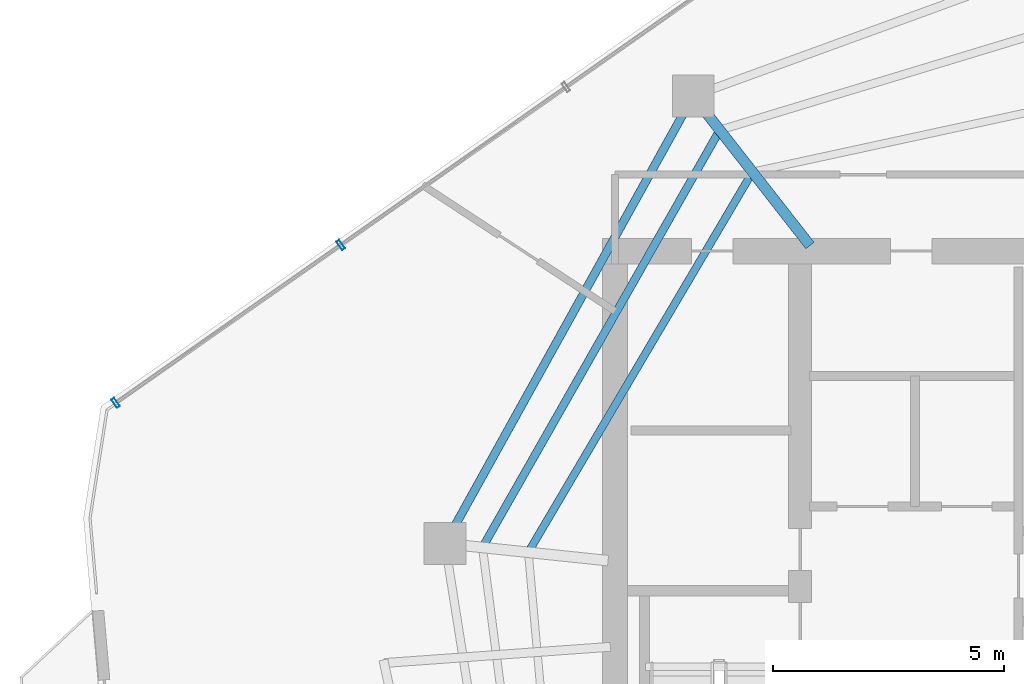
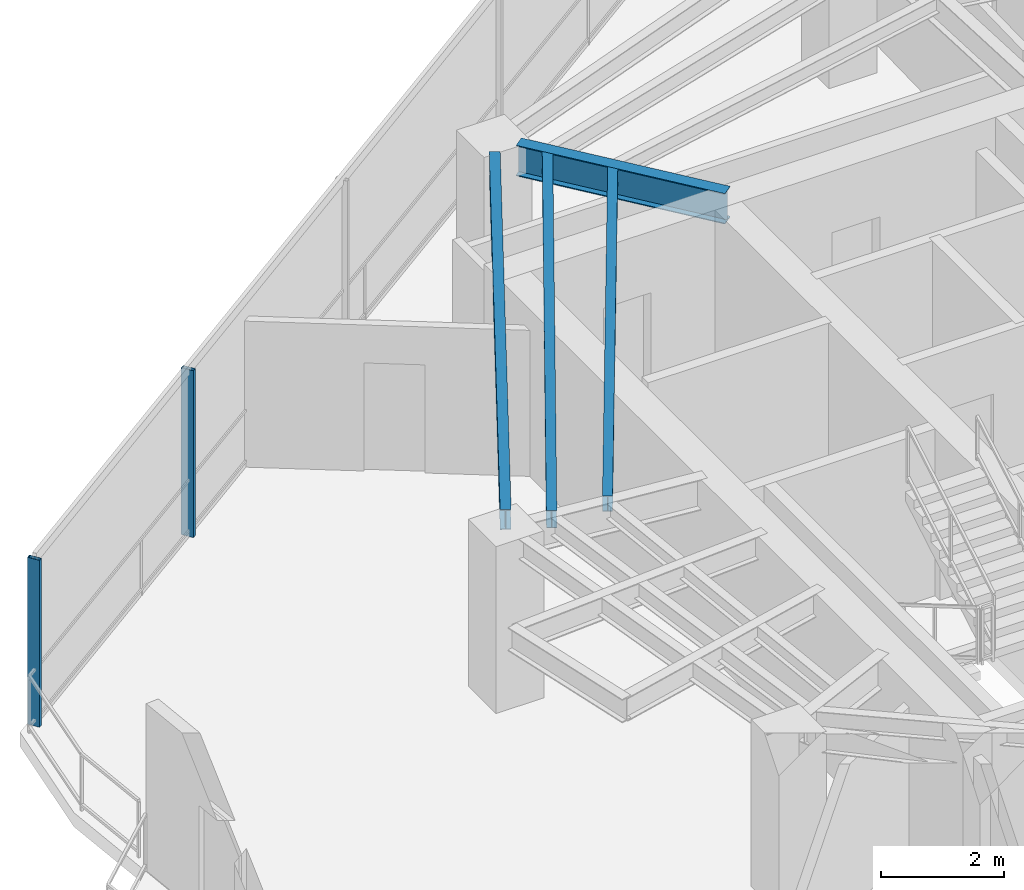
# One storey, part 7 of 20: 4 beams, 2 members, 1 element without a shape of its own.
"""IFC4 building model written with IfcOpenShell, lengths in metres."""

from ifc_helpers import new_model, si_unit, direction, frame, origin, origin_2d, place, context, subcontext, project, spatial, hollow_rectangle, i_section, extrude, material, layer, layer_set, material_profile, profile_set, type_object, element, aggregate, save


model = new_model("IFC4")

# Units and contexts
model_context = context("Model", 3, precision=1e-05, world=origin(), true_north=direction((0.0, 1.0)))
body_context = subcontext(model_context, "Body", "Model", "MODEL_VIEW")
ifc_project = project(units=[si_unit("LENGTHUNIT", "METRE"), si_unit("AREAUNIT", "SQUARE_METRE"), si_unit("VOLUMEUNIT", "CUBIC_METRE"), si_unit("PLANEANGLEUNIT", "RADIAN"), si_unit("MASSUNIT", "GRAM", prefix="KILO")], contexts=[model_context])

# Site, building, storey
site_placement = place(None, origin())
site = spatial("IfcSite", under=ifc_project, at=site_placement, CompositionType="ELEMENT")
building_placement = place(site_placement, origin())
building = spatial("IfcBuilding", under=site, at=building_placement, Name="Qarnah Convention Tower", CompositionType="ELEMENT")
storey_placement = place(building_placement, frame((0.0, 0.0, 198.60009765625)))
storey = spatial("IfcBuildingStorey", under=building, at=storey_placement, Name="L53", CompositionType="ELEMENT", Elevation=198.60009765625)

# Beams
ifc_material_1 = material(Name="Structural steel S355JR", Category="steel")
ifc_material_profile_1 = material_profile(ifc_material_1, i_section(OverallWidth=0.166015625, OverallDepth=0.31201171875, WebThickness=0.007080078125, FlangeThickness=0.010986328125, at=origin_2d()), Name="W310X45")
ifc_profile_set_1 = profile_set([ifc_material_profile_1], Name="Structural steel S355JR")
beam_type_1 = type_object("IfcBeamType", Name="BM-JST-W310", PredefinedType="JOIST", material=ifc_profile_set_1)
beam_1_placement = place(storey_placement, frame((29.72509765625, 35.830078125, 3.163818359375), z_axis=(-0.507800878702, -0.861474472976, 0.0), x_axis=(0.861474472976, -0.507800878702, 0.0)))
element("IfcBeam", 1, at=beam_1_placement, inside=storey, type_object=beam_type_1, Name="L53 joist BM-L53-IJST-04", PredefinedType="JOIST", context=body_context, shape_type="SweptSolid", body=[
    extrude(i_section(OverallWidth=0.166015625, OverallDepth=0.31201171875, WebThickness=0.007080078125, FlangeThickness=0.010986328125, at=origin_2d()), origin(), (0.0, 0.0, 1.0), 9.3583984375),
])
ifc_material_profile_2 = material_profile(ifc_material_1, i_section(OverallWidth=0.172119140625, OverallDepth=0.35595703125, WebThickness=0.007080078125, FlangeThickness=0.011962890625, at=origin_2d()), Name="W360X51")
ifc_profile_set_2 = profile_set([ifc_material_profile_2], Name="Structural steel S355JR")
beam_type_2 = type_object("IfcBeamType", Name="BM-JST-W360", PredefinedType="JOIST", material=ifc_profile_set_2)
beam_2_placement = place(storey_placement, frame((29.02001953125, 36.735107421875, 3.141845703125), z_axis=(-0.494322447591, -0.869278619206, 0.0), x_axis=(0.869278619206, -0.494322447591, 0.0)))
element("IfcBeam", 2, at=beam_2_placement, inside=storey, type_object=beam_type_2, Name="L53 joist BM-L53-SJST-04", PredefinedType="JOIST", context=body_context, shape_type="SweptSolid", body=[
    extrude(i_section(OverallWidth=0.172119140625, OverallDepth=0.35595703125, WebThickness=0.007080078125, FlangeThickness=0.011962890625, at=origin_2d()), origin(), (0.0, 0.0, 1.0), 10.19580078125),
])
ifc_material_profile_3 = material_profile(ifc_material_1, i_section(OverallWidth=0.22802734375, OverallDepth=0.60791015625, WebThickness=0.010986328125, FlangeThickness=0.01708984375, at=origin_2d()), Name="W610X113")
ifc_profile_set_3 = profile_set([ifc_material_profile_3], Name="Structural steel S355JR")
beam_type_3 = type_object("IfcBeamType", Name="BM-RAD-W610B", PredefinedType="BEAM", material=ifc_profile_set_3)
beam_3_placement = place(storey_placement, frame((31.013916015625, 34.318115234375, 3.015869140625), z_axis=(-0.615807906571, 0.787896327066, 0.0), x_axis=(-0.787896327066, -0.615807906571, 0.0)))
element("IfcBeam", 3, at=beam_3_placement, inside=storey, type_object=beam_type_3, Name="L53 beam BM-L53-RAD-04", PredefinedType="BEAM", context=body_context, shape_type="SweptSolid", body=[
    extrude(i_section(OverallWidth=0.22802734375, OverallDepth=0.60791015625, WebThickness=0.010986328125, FlangeThickness=0.01708984375, at=origin_2d()), origin(), (0.0, 0.0, 1.0), 3.671630859375),
])
ifc_material_profile_4 = material_profile(ifc_material_1, i_section(OverallWidth=0.179931640625, OverallDepth=0.39990234375, WebThickness=0.009033203125, FlangeThickness=0.013916015625, at=origin_2d()), Name="IPE400")
ifc_profile_set_4 = profile_set([ifc_material_profile_4], Name="Structural steel S355JR")
beam_type_4 = type_object("IfcBeamType", Name="BM-SPN-IPE400", PredefinedType="SPANDREL", material=ifc_profile_set_4)
beam_4_placement = place(storey_placement, frame((28.27490234375, 37.1650390625, 3.119873046875), z_axis=(-0.48479945923, -0.874625339406, 0.0), x_axis=(0.874625339406, -0.48479945923, 0.0)))
element("IfcBeam", 4, at=beam_4_placement, inside=storey, type_object=beam_type_4, Name="L53 spandrel BM-L53-SPN-04", PredefinedType="SPANDREL", context=body_context, shape_type="SweptSolid", body=[
    extrude(i_section(OverallWidth=0.179931640625, OverallDepth=0.39990234375, WebThickness=0.009033203125, FlangeThickness=0.013916015625, at=origin_2d()), origin(), (0.0, 0.0, 1.0), 10.177001953125),
])

# Curtain wall, members
ifc_material_2 = material(Name="Tempered Low-E dark glass", Category="glass")
ifc_layer = layer(ifc_material_2, 0.174072265625)
ifc_layer_set = layer_set([ifc_layer], Name="Tempered Low-E dark glass")
curtain_wall_type = type_object("IfcCurtainWallType", Name="CWS-04", PredefinedType="NOTDEFINED", material=ifc_layer_set)
curtain_wall_placement = place(storey_placement, origin())
curtain_wall = element("IfcCurtainWall", 5, at=curtain_wall_placement, inside=storey, type_object=curtain_wall_type, Name="L53 unitised curtain wall CW-L53-F1", PredefinedType="NOTDEFINED")
ifc_material_3 = material(Name="Black anodised aluminium", Category="aluminium")
ifc_material_profile_5 = material_profile(ifc_material_3, hollow_rectangle(XDim=0.074951171875, YDim=0.219970703125, WallThickness=0.0048828125, at=origin_2d()), Name="MUL-75X220")
ifc_profile_set_5 = profile_set([ifc_material_profile_5], Name="Black anodised aluminium")
member_type = type_object("IfcMemberType", Name="MUL-T4", PredefinedType="MULLION", material=ifc_profile_set_5)
member_1_placement = place(storey_placement, frame((16.010009765625, 30.919921875, 0.0), z_axis=(0.0, 0.0, 1.0), x_axis=(0.818736601827, 0.57416929283, 0.0)))
member_1 = element("IfcMember", 6, at=member_1_placement, type_object=member_type, Name="CW-L53-F1 mullion 1", PredefinedType="MULLION", context=body_context, shape_type="SweptSolid", body=[
    extrude(hollow_rectangle(XDim=0.074951171875, YDim=0.219970703125, WallThickness=0.0048828125, at=origin_2d()), origin(), (0.0, 0.0, 1.0), 3.31982421875),
])
member_2_placement = place(storey_placement, frame((20.874267578125, 34.331298828125, 0.0), z_axis=(0.0, 0.0, 1.0), x_axis=(0.818736601827, 0.57416929283, 0.0)))
member_2 = element("IfcMember", 7, at=member_2_placement, type_object=member_type, Name="CW-L53-F1 mullion 2", PredefinedType="MULLION", context=body_context, shape_type="SweptSolid", body=[
    extrude(hollow_rectangle(XDim=0.074951171875, YDim=0.219970703125, WallThickness=0.0048828125, at=origin_2d()), origin(), (0.0, 0.0, 1.0), 3.31982421875),
])
aggregate(curtain_wall, [member_1, member_2])

save(model, "model.ifc")
